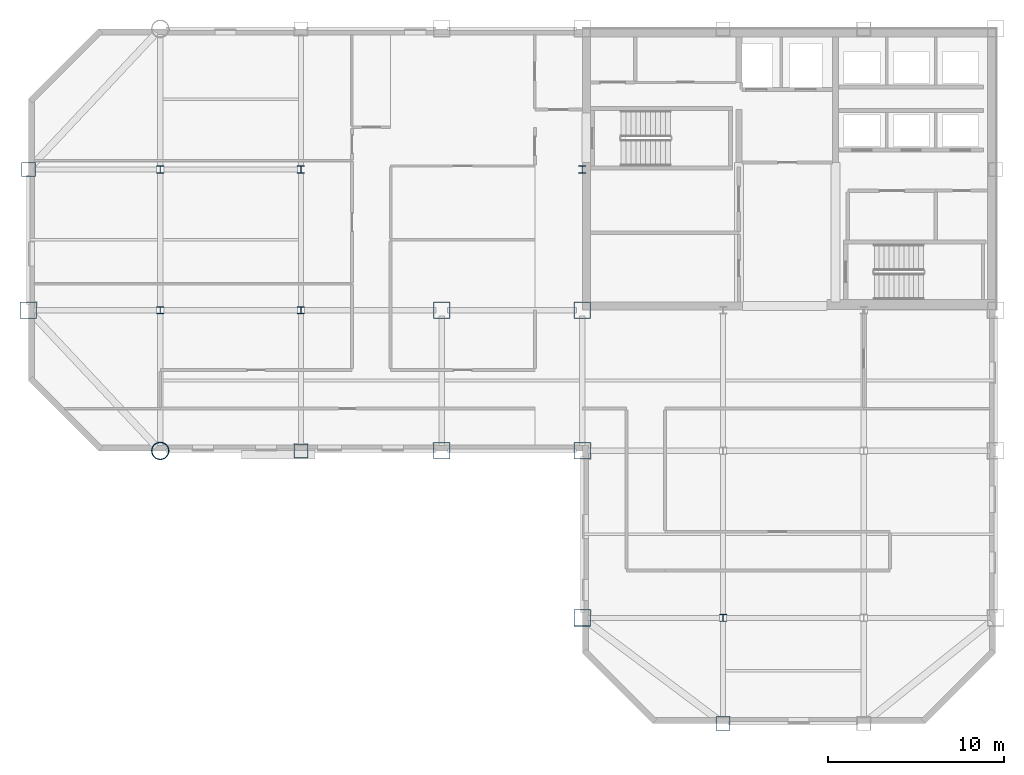
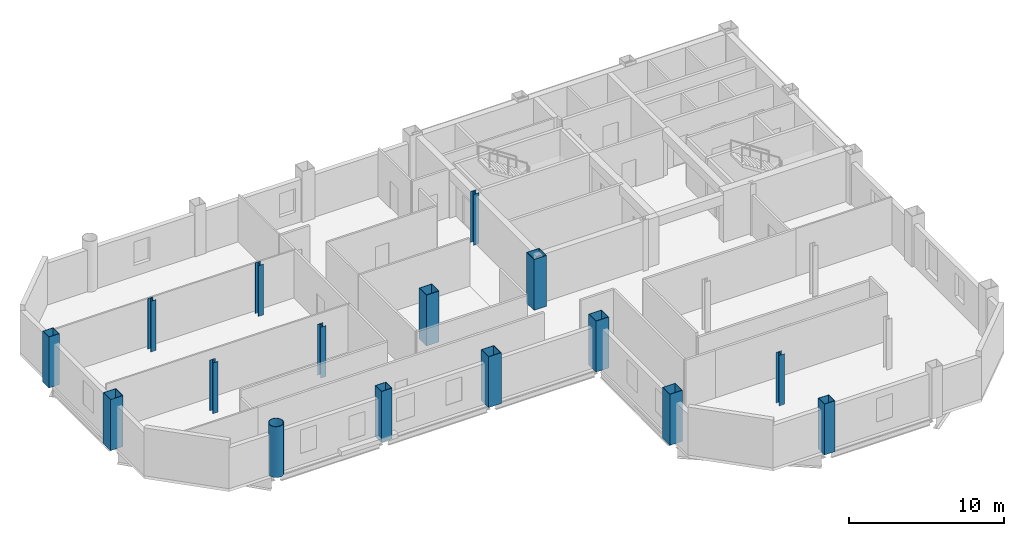
# One storey, part 1 of 10: 16 columns.
"""IFC4 building model written with IfcOpenShell, lengths in metres."""

from ifc_helpers import new_model, si_unit, direction, frame, origin, origin_2d, place, context, subcontext, project, spatial, hollow_rectangle, hollow_circle, i_section, extrude, material, material_profile, profile_set, type_object, element, save


model = new_model("IFC4")

# Units and contexts
model_context = context("Model", 3, precision=1e-05, world=origin(), true_north=direction((0.0, 1.0)))
body_context = subcontext(model_context, "Body", "Model", "MODEL_VIEW")
ifc_project = project(units=[si_unit("LENGTHUNIT", "METRE"), si_unit("AREAUNIT", "SQUARE_METRE"), si_unit("VOLUMEUNIT", "CUBIC_METRE"), si_unit("PLANEANGLEUNIT", "RADIAN"), si_unit("MASSUNIT", "GRAM", prefix="KILO")], contexts=[model_context])

# Site, building, storey
site_placement = place(None, origin())
site = spatial("IfcSite", under=ifc_project, at=site_placement, CompositionType="ELEMENT")
building_placement = place(site_placement, origin())
building = spatial("IfcBuilding", under=site, at=building_placement, Name="Qianrong Seaharbour Tower", CompositionType="ELEMENT")
storey_placement = place(building_placement, frame((0.0, 0.0, 261.800048828125)))
storey = spatial("IfcBuildingStorey", under=building, at=storey_placement, Name="L63", CompositionType="ELEMENT", Elevation=261.800048828125)

# Columns
ifc_material = material(Name="Structural steel SN490B", Category="steel")
ifc_material_profile_1 = material_profile(ifc_material, hollow_rectangle(XDim=0.949951171875, YDim=0.949951171875, WallThickness=0.035888671875, at=origin_2d()), Name="BOX950x950x36")
ifc_profile_set_1 = profile_set([ifc_material_profile_1], Name="Structural steel SN490B")
column_type_1 = type_object("IfcColumnType", Name="COL-CFT-950", PredefinedType="COLUMN", material=ifc_profile_set_1)
for number, where, z_axis, x_axis, name in (
    (1, (9.0, 36.0, 0.0), (0.0, 0.0, 1.0), (1.0, 0.0, 0.0), "L63 Column MC-4 at G2/GF"),
    (2, (32.5, 28.0, 0.0), (0.0, 0.0, 1.0), (1.0, 0.0, 0.0), "L63 Column MC-4 at G5/GE"),
    (3, (32.5, 36.0, 0.0), (0.0, 0.0, 1.0), (1.0, 0.0, 0.0), "L63 Column MC-4 at G5/GF"),
    (4, (40.5, 18.5, 0.0), (0.0, 0.0, 1.0), (1.0, 0.0, 0.0), "L63 Column MC-4 at G6/GD"),
    (5, (40.5, 28.0, 0.0), (0.0, 0.0, 1.0), (1.0, 0.0, 0.0), "L63 Column MC-4 at G6/GE"),
    (6, (40.5, 36.0, 0.0), (0.0, 0.0, 1.0), (1.0, 0.0, 0.0), "L63 Column MC-4 at G6/GF"),
):
    element("IfcColumn", number, at=place(storey_placement, frame(where, z_axis=z_axis, x_axis=x_axis)), inside=storey, type_object=column_type_1, Name=name, PredefinedType="COLUMN", context=body_context, shape_type="SweptSolid", body=[
        extrude(hollow_rectangle(XDim=0.949951171875, YDim=0.949951171875, WallThickness=0.035888671875, at=origin_2d()), origin(), (0.0, 0.0, 1.0), 4.0),
    ])
ifc_material_profile_2 = material_profile(ifc_material, hollow_circle(Radius=0.5, WallThickness=0.035888671875, at=origin_2d()), Name="CHS1000x36")
ifc_profile_set_2 = profile_set([ifc_material_profile_2], Name="Structural steel SN490B")
column_type_2 = type_object("IfcColumnType", Name="COL-CHS-1000", PredefinedType="COLUMN", material=ifc_profile_set_2)
column_placement = place(storey_placement, frame((16.5, 28.0, 0.0), z_axis=(0.0, 0.0, 1.0), x_axis=(1.0, 0.0, 0.0)))
element("IfcColumn", 7, at=column_placement, inside=storey, type_object=column_type_2, Name="L63 Column CC-2 at G3/GE", PredefinedType="COLUMN", context=body_context, shape_type="SweptSolid", body=[
    extrude(hollow_circle(Radius=0.5, WallThickness=0.035888671875, at=origin_2d()), origin(), (0.0, 0.0, 1.0), 4.0),
])
ifc_material_profile_3 = material_profile(ifc_material, i_section(OverallWidth=0.39990234375, OverallDepth=0.39990234375, WebThickness=0.012939453125, FlangeThickness=0.02099609375, FilletRadius=0.02197265625, at=origin_2d()), Name="H400x400x13x21")
ifc_profile_set_3 = profile_set([ifc_material_profile_3], Name="Structural steel SN490B")
column_type_3 = type_object("IfcColumnType", Name="COL-INT-H400", PredefinedType="COLUMN", material=ifc_profile_set_3)
for number, where, z_axis, x_axis, name in (
    (8, (16.5, 36.0, 0.0), (0.0, 0.0, 1.0), (1.0, 0.0, 0.0), "L63 Column IC-3 at G3/GF"),
    (9, (16.5, 44.0, 0.0), (0.0, 0.0, 1.0), (1.0, 0.0, 0.0), "L63 Column IC-3 at G3/GG"),
    (10, (24.5, 36.0, 0.0), (0.0, 0.0, 1.0), (1.0, 0.0, 0.0), "L63 Column IC-3 at G4/GF"),
    (11, (24.5, 44.0, 0.0), (0.0, 0.0, 1.0), (1.0, 0.0, 0.0), "L63 Column IC-3 at G4/GG"),
    (12, (40.5, 44.0, 0.0), (0.0, 0.0, 1.0), (1.0, 0.0, 0.0), "L63 Column IC-3 at G6/GG"),
    (13, (48.5, 18.5, 0.0), (0.0, 0.0, 1.0), (1.0, 0.0, 0.0), "L63 Column IC-3 at G7/GD"),
):
    element("IfcColumn", number, at=place(storey_placement, frame(where, z_axis=z_axis, x_axis=x_axis)), inside=storey, type_object=column_type_3, Name=name, PredefinedType="COLUMN", context=body_context, shape_type="SweptSolid", body=[
        extrude(i_section(OverallWidth=0.39990234375, OverallDepth=0.39990234375, WebThickness=0.012939453125, FlangeThickness=0.02099609375, FilletRadius=0.02197265625, at=origin_2d()), origin(), (0.0, 0.0, 1.0), 4.0),
    ])
ifc_material_profile_4 = material_profile(ifc_material, hollow_rectangle(XDim=0.800048828125, YDim=0.800048828125, WallThickness=0.031982421875, at=origin_2d()), Name="BOX800x800x32")
ifc_profile_set_4 = profile_set([ifc_material_profile_4], Name="Structural steel SN490B")
column_type_4 = type_object("IfcColumnType", Name="COL-PER-800", PredefinedType="COLUMN", material=ifc_profile_set_4)
for number, where, z_axis, x_axis, name in (
    (14, (9.0, 44.0, 0.0), (0.0, 0.0, 1.0), (1.0, 0.0, 0.0), "L63 Column PC-3 at G2/GG"),
    (15, (24.5, 28.0, 0.0), (0.0, 0.0, 1.0), (1.0, 0.0, 0.0), "L63 Column PC-3 at G4/GE"),
    (16, (48.5, 12.5, 0.0), (0.0, 0.0, 1.0), (1.0, 0.0, 0.0), "L63 Column PC-3 at G7/GC"),
):
    element("IfcColumn", number, at=place(storey_placement, frame(where, z_axis=z_axis, x_axis=x_axis)), inside=storey, type_object=column_type_4, Name=name, PredefinedType="COLUMN", context=body_context, shape_type="SweptSolid", body=[
        extrude(hollow_rectangle(XDim=0.800048828125, YDim=0.800048828125, WallThickness=0.031982421875, at=origin_2d()), origin(), (0.0, 0.0, 1.0), 4.0),
    ])

save(model, "model.ifc")
